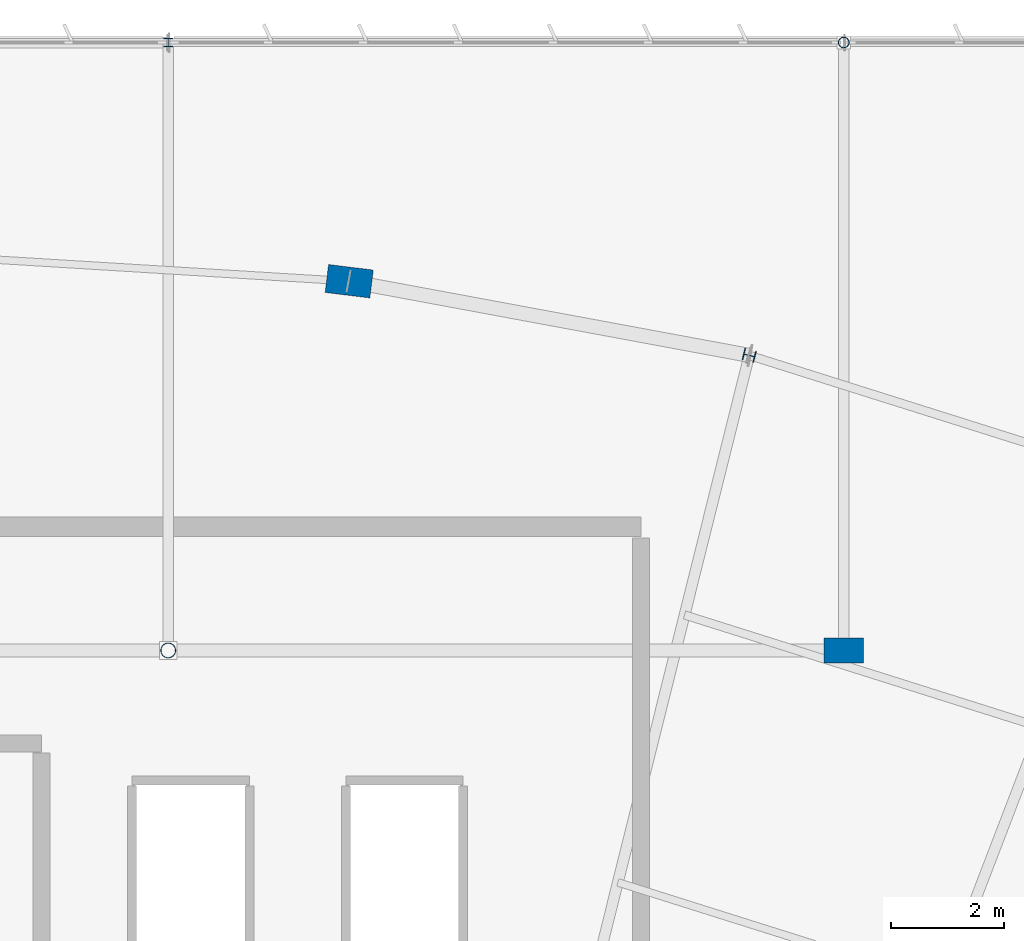
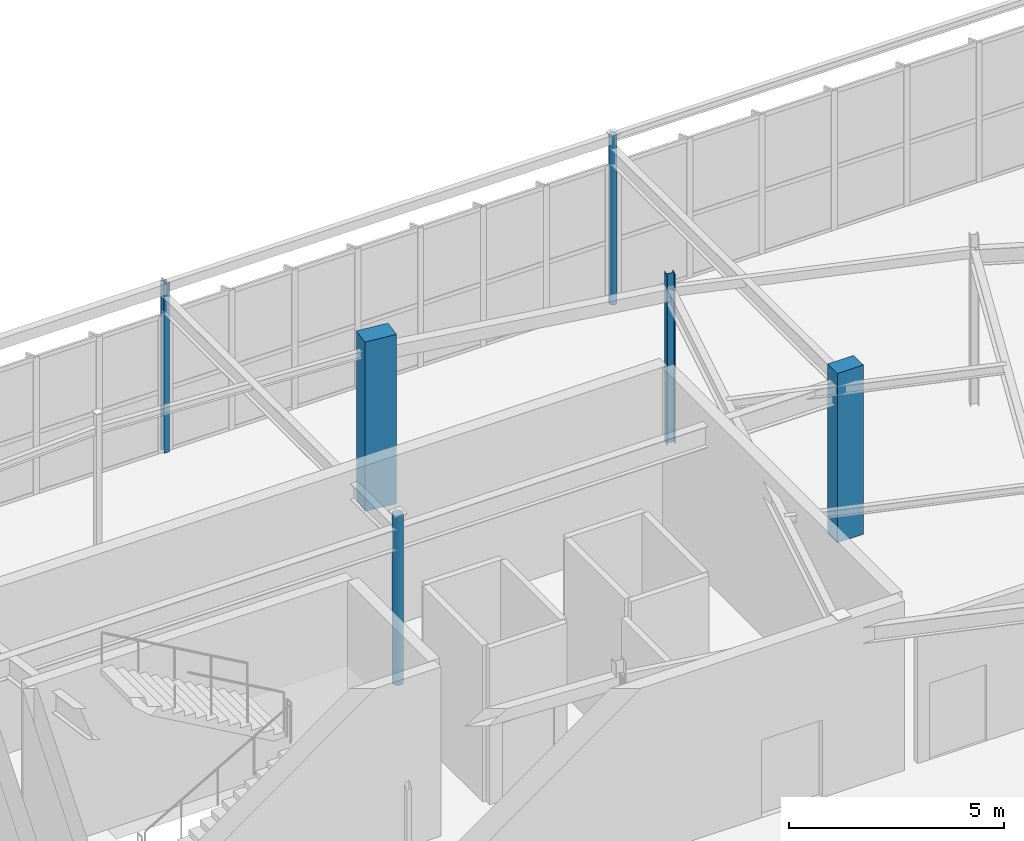
# One storey, part 31 of 186: 6 columns.
"""IFC4 building model written with IfcOpenShell, lengths in metres."""

from ifc_helpers import new_model, si_unit, direction, frame, origin, origin_2d, place, context, subcontext, project, spatial, rectangle, hollow_circle, i_section, extrude, material, material_profile, profile_set, type_object, element, save


model = new_model("IFC4")

# Units and contexts
model_context = context("Model", 3, precision=1e-05, world=origin(), true_north=direction((0.0, 1.0)))
body_context = subcontext(model_context, "Body", "Model", "MODEL_VIEW")
ifc_project = project(units=[si_unit("LENGTHUNIT", "METRE"), si_unit("AREAUNIT", "SQUARE_METRE"), si_unit("VOLUMEUNIT", "CUBIC_METRE"), si_unit("PLANEANGLEUNIT", "RADIAN"), si_unit("MASSUNIT", "GRAM", prefix="KILO")], contexts=[model_context])

# Site, building, storey
site_placement = place(None, origin())
site = spatial("IfcSite", under=ifc_project, at=site_placement, CompositionType="ELEMENT")
building_placement = place(site_placement, origin())
building = spatial("IfcBuilding", under=site, at=building_placement, Name="Tarnwether General Hospital", CompositionType="ELEMENT")
storey_placement = place(building_placement, frame((0.0, 0.0, 9.60009765625)))
storey = spatial("IfcBuildingStorey", under=building, at=storey_placement, Name="L02", CompositionType="ELEMENT", Elevation=9.60009765625)

# Columns
ifc_material_1 = material(Name="Steel Grade C350L0 (350 MPa)", Category="steel")
ifc_material_profile_1 = material_profile(ifc_material_1, hollow_circle(Radius=0.136474609375, WallThickness=0.0126953125, at=origin_2d()), Name="CHS273.1x12.7")
ifc_profile_set_1 = profile_set([ifc_material_profile_1], Name="Steel Grade C350L0 (350 MPa)")
column_type_1 = type_object("IfcColumnType", Name="COL-12", PredefinedType="COLUMN", material=ifc_profile_set_1)
column_1_placement = place(storey_placement, frame((96.0, 115.199951171875, 0.0), z_axis=(0.0, 0.0, 1.0), x_axis=(1.0, 0.0, 0.0)))
element("IfcColumn", 1, at=column_1_placement, inside=storey, type_object=column_type_1, Name="Column COLG-L02-9600_11520", PredefinedType="COLUMN", context=body_context, shape_type="SweptSolid", body=[
    extrude(hollow_circle(Radius=0.136474609375, WallThickness=0.0126953125, at=origin_2d()), origin(), (0.0, 0.0, 1.0), 4.7998046875),
])
ifc_material_2 = material(Name="Concrete 50 MPa", Category="concrete")
ifc_material_profile_2 = material_profile(ifc_material_2, rectangle(XDim=0.449951171875, YDim=0.699951171875, at=origin_2d()), Name="RC-PIL-450x700")
ifc_profile_set_2 = profile_set([ifc_material_profile_2], Name="Concrete 50 MPa")
column_type_2 = type_object("IfcColumnType", Name="COL-22", PredefinedType="PILASTER", material=ifc_profile_set_2)
column_2_placement = place(storey_placement, frame((108.0, 115.199951171875, 0.0), z_axis=(0.0, 0.0, 1.0), x_axis=(0.0, 1.0, 0.0)))
element("IfcColumn", 2, at=column_2_placement, inside=storey, type_object=column_type_2, Name="Column COLG-L02-10800_11520", PredefinedType="PILASTER", context=body_context, shape_type="SweptSolid", body=[
    extrude(rectangle(XDim=0.449951171875, YDim=0.699951171875, at=origin_2d()), origin(), (0.0, 0.0, 1.0), 4.7998046875),
])
ifc_material_3 = material(Name="Concrete 50 MPa", Category="concrete")
ifc_material_profile_3 = material_profile(ifc_material_3, rectangle(XDim=0.5, YDim=0.800048828125, at=origin_2d()), Name="RC-PIL-500x800")
ifc_profile_set_3 = profile_set([ifc_material_profile_3], Name="Concrete 50 MPa")
column_type_3 = type_object("IfcColumnType", Name="COL-23", PredefinedType="PILASTER", material=ifc_profile_set_3)
column_3_placement = place(storey_placement, frame((99.215087890625, 121.759033203125, 0.0), z_axis=(0.0, 0.0, 1.0), x_axis=(0.121869343405, 0.992546151641, 0.0)))
element("IfcColumn", 3, at=column_3_placement, inside=storey, type_object=column_type_3, Name="Column COLG-L02-9922_12176", PredefinedType="PILASTER", context=body_context, shape_type="SweptSolid", body=[
    extrude(rectangle(XDim=0.5, YDim=0.800048828125, at=origin_2d()), origin(), (0.0, 0.0, 1.0), 4.7998046875),
])
ifc_material_4 = material(Name="Steel Grade 350 (350 MPa)", Category="steel")
ifc_material_profile_4 = material_profile(ifc_material_4, i_section(OverallWidth=0.205078125, OverallDepth=0.2099609375, WebThickness=0.00927734375, FlangeThickness=0.01416015625, at=origin_2d()), Name="200UC59.5")
ifc_profile_set_4 = profile_set([ifc_material_profile_4], Name="Steel Grade 350 (350 MPa)")
column_type_4 = type_object("IfcColumnType", Name="COL-25", PredefinedType="COLUMN", material=ifc_profile_set_4)
column_4_placement = place(storey_placement, frame((106.322021484375, 120.44189453125, 0.0), z_axis=(0.0, 0.0, 1.0), x_axis=(0.2419218956, 0.970295726276, 0.0)))
element("IfcColumn", 4, at=column_4_placement, inside=storey, type_object=column_type_4, Name="Column COLG-L02-10632_12044", PredefinedType="COLUMN", context=body_context, shape_type="SweptSolid", body=[
    extrude(i_section(OverallWidth=0.205078125, OverallDepth=0.2099609375, WebThickness=0.00927734375, FlangeThickness=0.01416015625, at=origin_2d()), origin(), (0.0, 0.0, 1.0), 4.7998046875),
])
ifc_material_5 = material(Name="Steel Grade C350L0 (350 MPa)", Category="steel")
ifc_material_profile_5 = material_profile(ifc_material_5, hollow_circle(Radius=0.096923828125, WallThickness=0.008056640625, at=origin_2d()), Name="CHS193.7x8.0")
ifc_profile_set_5 = profile_set([ifc_material_profile_5], Name="Steel Grade C350L0 (350 MPa)")
column_type_5 = type_object("IfcColumnType", Name="COL-29", PredefinedType="COLUMN", material=ifc_profile_set_5)
column_5_placement = place(storey_placement, frame((108.0, 126.0, 0.0), z_axis=(0.0, 0.0, 1.0), x_axis=(0.0, 1.0, 0.0)))
element("IfcColumn", 5, at=column_5_placement, inside=storey, type_object=column_type_5, Name="Column COLG-L02-10800_12600", PredefinedType="COLUMN", context=body_context, shape_type="SweptSolid", body=[
    extrude(hollow_circle(Radius=0.096923828125, WallThickness=0.008056640625, at=origin_2d()), origin(), (0.0, 0.0, 1.0), 4.7998046875),
])
ifc_material_6 = material(Name="Steel Grade 350 (350 MPa)", Category="steel")
ifc_material_profile_6 = material_profile(ifc_material_6, i_section(OverallWidth=0.153076171875, OverallDepth=0.157958984375, WebThickness=0.006591796875, FlangeThickness=0.009521484375, at=origin_2d()), Name="150UC30.0")
ifc_profile_set_6 = profile_set([ifc_material_profile_6], Name="Steel Grade 350 (350 MPa)")
column_type_6 = type_object("IfcColumnType", Name="COL-31", PredefinedType="COLUMN", material=ifc_profile_set_6)
column_6_placement = place(storey_placement, frame((96.0, 126.0, 0.0), z_axis=(0.0, 0.0, 1.0), x_axis=(1.0, 0.0, 0.0)))
element("IfcColumn", 6, at=column_6_placement, inside=storey, type_object=column_type_6, Name="Column COLG-L02-9600_12600", PredefinedType="COLUMN", context=body_context, shape_type="SweptSolid", body=[
    extrude(i_section(OverallWidth=0.153076171875, OverallDepth=0.157958984375, WebThickness=0.006591796875, FlangeThickness=0.009521484375, at=origin_2d()), origin(), (0.0, 0.0, 1.0), 4.7998046875),
])

save(model, "model.ifc")
